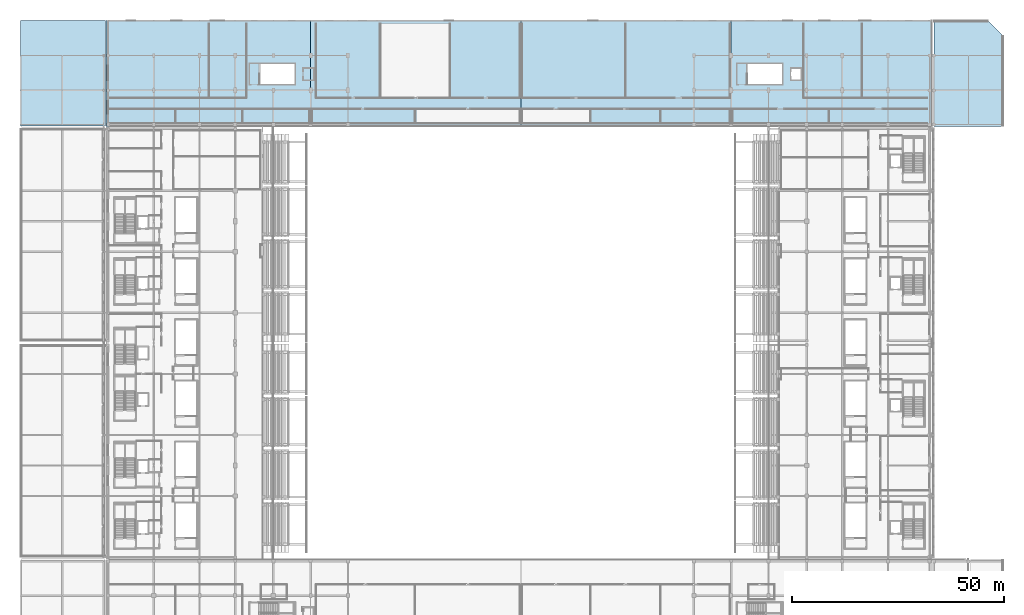
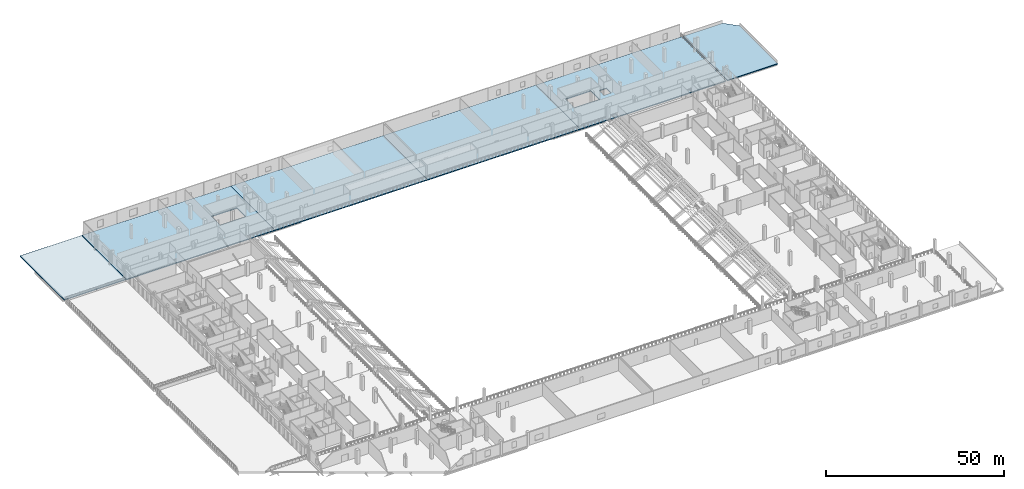
# One storey, part 26 of 74: 6 slabs.
"""IFC4 building model written with IfcOpenShell, lengths in metres."""

from ifc_helpers import new_model, si_unit, direction, frame, origin, place, context, subcontext, project, spatial, polyline, outline, extrude, material, layer, layer_set, type_object, element, save


model = new_model("IFC4")

# Units and contexts
model_context = context("Model", 3, precision=1e-05, world=origin(), true_north=direction((0.0, 1.0)))
body_context = subcontext(model_context, "Body", "Model", "MODEL_VIEW")
ifc_project = project(units=[si_unit("LENGTHUNIT", "METRE"), si_unit("AREAUNIT", "SQUARE_METRE"), si_unit("VOLUMEUNIT", "CUBIC_METRE"), si_unit("PLANEANGLEUNIT", "RADIAN"), si_unit("MASSUNIT", "GRAM", prefix="KILO")], contexts=[model_context])

# Site, building, storey
site_placement = place(None, origin())
site = spatial("IfcSite", under=ifc_project, at=site_placement, CompositionType="ELEMENT")
building_placement = place(site_placement, origin())
building = spatial("IfcBuilding", under=site, at=building_placement, Name="Koshinbarg Plaza Stadium", CompositionType="ELEMENT")
storey_placement = place(building_placement, frame((0.0, 0.0, 15.0)))
storey = spatial("IfcBuildingStorey", under=building, at=storey_placement, Name="L03", CompositionType="ELEMENT", Elevation=15.0)

# Slabs
ifc_material = material(Name="Concrete C35/45", Category="concrete")
ifc_layer_1 = layer(ifc_material, 0.300048828125)
ifc_layer_set_1 = layer_set([ifc_layer_1], Name="Concrete C35/45")
slab_type_1 = type_object("IfcSlabType", Name="SL-FLATROOF-260", PredefinedType="ROOF", material=ifc_layer_set_1)
slab_1_placement = place(storey_placement, frame((0.0, 0.0, -0.300048828125)))
element("IfcSlab", 1, at=slab_1_placement, inside=storey, type_object=slab_type_1, Name="L03 pavilion flat roof slab RF-V5-N", PredefinedType="ROOF", context=body_context, shape_type="SweptSolid", body=[
    extrude(outline(polyline([(4.0, 127.14990234375), (24.054931640625, 127.14990234375), (24.054931640625, 152.0), (4.0, 152.0), (4.0, 127.14990234375)])), origin(), (0.0, 0.0, 1.0), 0.300048828125),
])
slab_2_placement = place(storey_placement, frame((0.0, 0.0, -0.300048828125)))
element("IfcSlab", 2, at=slab_2_placement, inside=storey, type_object=slab_type_1, Name="L03 pavilion flat roof slab RF-V3-STEP2", PredefinedType="ROOF", context=body_context, shape_type="SweptSolid", body=[
    extrude(outline(polyline([(219.39990234375, 127.044921875), (235.800048828125, 127.044921875), (235.800048828125, 148.39990234375), (232.199951171875, 152.0), (219.39990234375, 152.0), (219.39990234375, 127.044921875)])), origin(), (0.0, 0.0, 1.0), 0.300048828125),
])
ifc_layer_2 = layer(ifc_material, 0.320068359375)
ifc_layer_set_2 = layer_set([ifc_layer_2], Name="Concrete C35/45")
slab_type_2 = type_object("IfcSlabType", Name="SL-FLR-320", PredefinedType="FLOOR", material=ifc_layer_set_2)
slab_3_placement = place(storey_placement, frame((0.0, 0.0, -0.320068359375)))
element("IfcSlab", 3, at=slab_3_placement, inside=storey, type_object=slab_type_2, Name="L03 V3 structural slab 9", PredefinedType="FLOOR", context=body_context, shape_type="SweptSolid", body=[
    extrude(outline(polyline([(24.14501953125, 127.044921875), (72.39990234375, 127.044921875), (72.39990234375, 152.0), (24.14501953125, 152.0), (24.14501953125, 127.044921875)]), holes=[polyline([(60.360107421875, 137.0), (68.60009765625, 137.0), (68.60009765625, 141.8701171875), (60.360107421875, 141.8701171875), (60.360107421875, 137.0)])]), origin(), (0.0, 0.0, 1.0), 0.320068359375),
])
slab_4_placement = place(storey_placement, frame((0.0, 0.0, -0.320068359375)))
element("IfcSlab", 4, at=slab_4_placement, inside=storey, type_object=slab_type_2, Name="L03 V3 structural slab 10", PredefinedType="FLOOR", context=body_context, shape_type="SweptSolid", body=[
    extrude(outline(polyline([(72.39990234375, 127.044921875), (122.0, 127.044921875), (122.0, 152.0), (72.39990234375, 152.0), (72.39990234375, 127.044921875)])), origin(), (0.0, 0.0, 1.0), 0.320068359375),
])
slab_5_placement = place(storey_placement, frame((0.0, 0.0, -0.320068359375)))
element("IfcSlab", 5, at=slab_5_placement, inside=storey, type_object=slab_type_2, Name="L03 V3 structural slab 11", PredefinedType="FLOOR", context=body_context, shape_type="SweptSolid", body=[
    extrude(outline(polyline([(122.0, 127.044921875), (171.60009765625, 127.044921875), (171.60009765625, 152.0), (122.0, 152.0), (122.0, 127.044921875)])), origin(), (0.0, 0.0, 1.0), 0.320068359375),
])
slab_6_placement = place(storey_placement, frame((0.0, 0.0, -0.320068359375)))
element("IfcSlab", 6, at=slab_6_placement, inside=storey, type_object=slab_type_2, Name="L03 V3 structural slab 12", PredefinedType="FLOOR", context=body_context, shape_type="SweptSolid", body=[
    extrude(outline(polyline([(171.60009765625, 127.044921875), (218.955078125, 127.044921875), (218.955078125, 152.0), (171.60009765625, 152.0), (171.60009765625, 127.044921875)]), holes=[polyline([(175.360107421875, 137.0), (183.60009765625, 137.0), (183.60009765625, 141.8701171875), (175.360107421875, 141.8701171875), (175.360107421875, 137.0)]), polyline([(185.699951171875, 138.050048828125), (188.0, 138.050048828125), (188.0, 140.75), (185.699951171875, 140.75), (185.699951171875, 138.050048828125)])]), origin(), (0.0, 0.0, 1.0), 0.320068359375),
])

save(model, "model.ifc")
